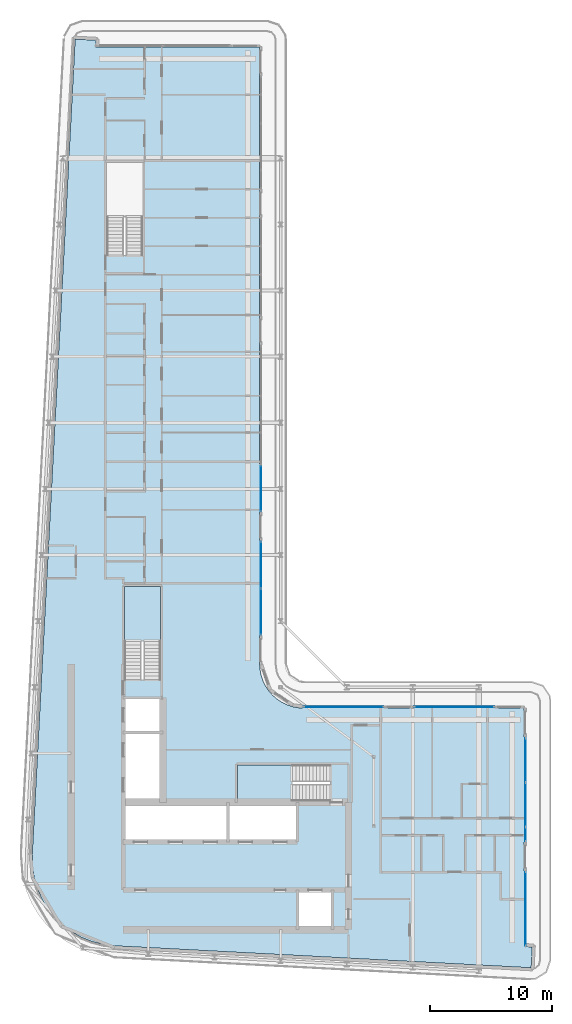
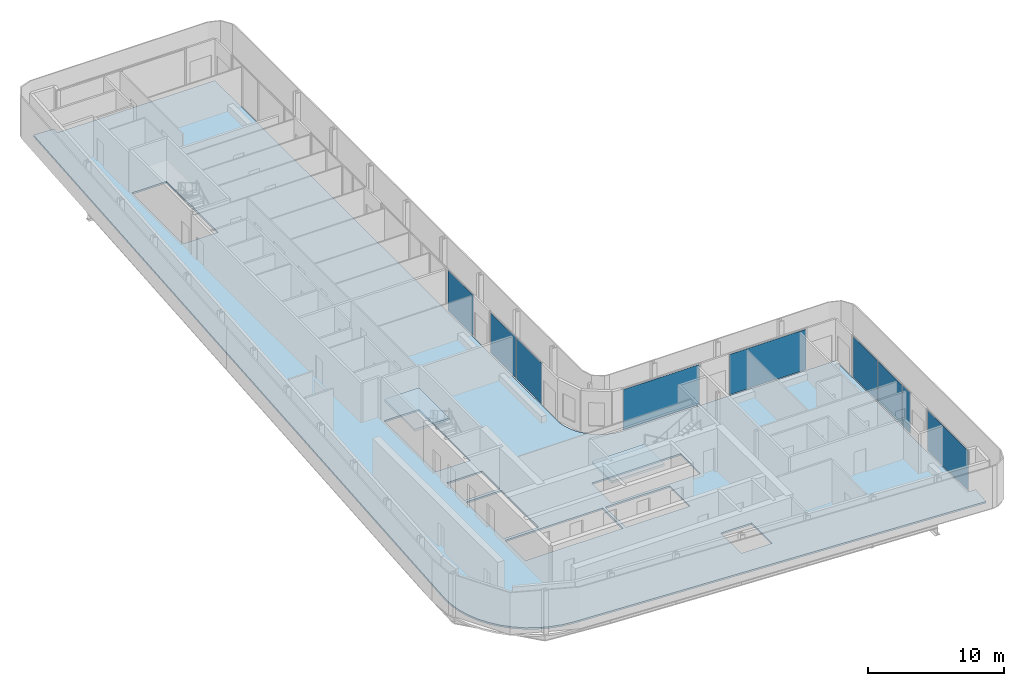
# One storey, part 9 of 21: 9 plates, 3 slabs, 9 elements without a shape of their own.
"""IFC4 building model written with IfcOpenShell, lengths in metres."""

from ifc_helpers import new_model, si_unit, direction, frame, origin, origin_2d, place, context, subcontext, project, spatial, polyline, rectangle, outline, extrude, material, layer, layer_set, type_object, element, aggregate, save


model = new_model("IFC4")

# Units and contexts
model_context = context("Model", 3, precision=1e-05, world=origin(), true_north=direction((0.0, 1.0)))
body_context = subcontext(model_context, "Body", "Model", "MODEL_VIEW")
ifc_project = project(units=[si_unit("LENGTHUNIT", "METRE"), si_unit("AREAUNIT", "SQUARE_METRE"), si_unit("VOLUMEUNIT", "CUBIC_METRE"), si_unit("PLANEANGLEUNIT", "RADIAN"), si_unit("MASSUNIT", "GRAM", prefix="KILO")], contexts=[model_context])

# Site, building, storey
site_placement = place(None, origin())
site = spatial("IfcSite", under=ifc_project, at=site_placement, CompositionType="ELEMENT")
building_placement = place(site_placement, origin())
building = spatial("IfcBuilding", under=site, at=building_placement, Name="Kheshtan School and Residences Tower", CompositionType="ELEMENT")
storey_placement = place(building_placement, frame((0.0, 0.0, 290.300048828125)))
storey = spatial("IfcBuildingStorey", under=building, at=storey_placement, Name="L68", CompositionType="ELEMENT", Elevation=290.300048828125)

# Curtain wall, plate
ifc_material_1 = material(Name="Clear low-e glass in thermally broken aluminium frame", Category="aluminium")
ifc_layer_1 = layer(ifc_material_1, 0.199951171875)
ifc_layer_set_1 = layer_set([ifc_layer_1], Name="Curtain wall CW-L")
curtain_wall_type = type_object("IfcCurtainWallType", Name="Curtain wall CW-L", PredefinedType="NOTDEFINED", material=ifc_layer_set_1)
curtain_wall_1_placement = place(storey_placement, origin())
curtain_wall_1 = element("IfcCurtainWall", 1, at=curtain_wall_1_placement, inside=storey, type_object=curtain_wall_type, Name="Curtain wall CWL8c", PredefinedType="NOTDEFINED")
ifc_layer_2 = layer(ifc_material_1, 0.031982421875)
ifc_layer_set_2 = layer_set([ifc_layer_2], Name="CW-L glass panel")
plate_type = type_object("IfcPlateType", Name="CW-L glass panel", PredefinedType="CURTAIN_PANEL", material=ifc_layer_set_2)
plate_1_placement = place(storey_placement, frame((46.0, 61.862548828125, 0.0), z_axis=(0.0, 0.0, 1.0), x_axis=(0.0, -1.0, 0.0)))
plate_1 = element("IfcPlate", 2, at=plate_1_placement, type_object=plate_type, Name="CWL8c panel 3.1", PredefinedType="CURTAIN_PANEL", context=body_context, shape_type="SweptSolid", body=[
    extrude(rectangle(XDim=3.757080078125, YDim=0.031982421875, at=origin_2d()), origin(), (0.0, 0.0, 1.0), 3.6298828125),
])
aggregate(curtain_wall_1, [plate_1])

# Curtain wall, plates
curtain_wall_2_placement = place(storey_placement, origin())
curtain_wall_2 = element("IfcCurtainWall", 3, at=curtain_wall_2_placement, inside=storey, type_object=curtain_wall_type, Name="Curtain wall CWL8", PredefinedType="NOTDEFINED")
plate_2_placement = place(storey_placement, frame((46.0, 55.58544921875, 0.0), z_axis=(0.0, 0.0, 1.0), x_axis=(0.0, -1.0, 0.0)))
plate_2 = element("IfcPlate", 4, at=plate_2_placement, type_object=plate_type, Name="CWL8 panel 1.1", PredefinedType="CURTAIN_PANEL", context=body_context, shape_type="SweptSolid", body=[
    extrude(rectangle(XDim=3.757080078125, YDim=0.031982421875, at=origin_2d()), origin(), (0.0, 0.0, 1.0), 3.6298828125),
])
plate_3_placement = place(storey_placement, frame((46.0, 51.7685546875, 0.0), z_axis=(0.0, 0.0, 1.0), x_axis=(0.0, -1.0, 0.0)))
plate_3 = element("IfcPlate", 5, at=plate_3_placement, type_object=plate_type, Name="CWL8 panel 2.1", PredefinedType="CURTAIN_PANEL", context=body_context, shape_type="SweptSolid", body=[
    extrude(rectangle(XDim=3.757080078125, YDim=0.031982421875, at=origin_2d()), origin(), (0.0, 0.0, 1.0), 3.6298828125),
])
aggregate(curtain_wall_2, [plate_2, plate_3])

# Curtain wall, plate
curtain_wall_3_placement = place(storey_placement, origin())
curtain_wall_3 = element("IfcCurtainWall", 6, at=curtain_wall_3_placement, inside=storey, type_object=curtain_wall_type, Name="Curtain wall CWL1233", PredefinedType="NOTDEFINED")
plate_4_placement = place(storey_placement, frame((52.74755859375, 44.0, 0.0), z_axis=(0.0, 0.0, 1.0), x_axis=(1.0, 0.0, 0.0)))
plate_4 = element("IfcPlate", 7, at=plate_4_placement, type_object=plate_type, Name="CWL1233 panel 1.1", PredefinedType="CURTAIN_PANEL", context=body_context, shape_type="SweptSolid", body=[
    extrude(rectangle(XDim=6.514892578125, YDim=0.031982421875, at=origin_2d()), origin(), (0.0, 0.0, 1.0), 3.6298828125),
])
aggregate(curtain_wall_3, [plate_4])

curtain_wall_4_placement = place(storey_placement, origin())
curtain_wall_4 = element("IfcCurtainWall", 8, at=curtain_wall_4_placement, inside=storey, type_object=curtain_wall_type, Name="Curtain wall CWL1233", PredefinedType="NOTDEFINED")
plate_5_placement = place(storey_placement, frame((61.782470703125, 44.0, 0.0), z_axis=(0.0, 0.0, 1.0), x_axis=(1.0, 0.0, 0.0)))
plate_5 = element("IfcPlate", 9, at=plate_5_placement, type_object=plate_type, Name="CWL1233 panel 1.1", PredefinedType="CURTAIN_PANEL", context=body_context, shape_type="SweptSolid", body=[
    extrude(rectangle(XDim=6.514892578125, YDim=0.031982421875, at=origin_2d()), origin(), (0.0, 0.0, 1.0), 3.6298828125),
])
aggregate(curtain_wall_4, [plate_5])

# Curtain wall, plates
curtain_wall_5_placement = place(storey_placement, origin())
curtain_wall_5 = element("IfcCurtainWall", 10, at=curtain_wall_5_placement, inside=storey, type_object=curtain_wall_type, Name="Curtain wall CWL13e", PredefinedType="NOTDEFINED")
plate_6_placement = place(storey_placement, frame((67.60009765625, 39.64990234375, 0.0), z_axis=(0.0, 0.0, 1.0), x_axis=(0.0, -1.0, 0.0)))
plate_6 = element("IfcPlate", 11, at=plate_6_placement, type_object=plate_type, Name="CWL13e panel 1.1", PredefinedType="CURTAIN_PANEL", context=body_context, shape_type="SweptSolid", body=[
    extrude(rectangle(XDim=3.580322265625, YDim=0.031982421875, at=origin_2d()), origin(), (0.0, 0.0, 1.0), 3.6298828125),
])
plate_7_placement = place(storey_placement, frame((67.60009765625, 36.009521484375, 0.0), z_axis=(0.0, 0.0, 1.0), x_axis=(0.0, -1.0, 0.0)))
plate_7 = element("IfcPlate", 12, at=plate_7_placement, type_object=plate_type, Name="CWL13e panel 2.1", PredefinedType="CURTAIN_PANEL", context=body_context, shape_type="SweptSolid", body=[
    extrude(rectangle(XDim=3.580322265625, YDim=0.031982421875, at=origin_2d()), origin(), (0.0, 0.0, 1.0), 3.6298828125),
])
aggregate(curtain_wall_5, [plate_6, plate_7])

# Curtain wall, plate
curtain_wall_6_placement = place(storey_placement, origin())
curtain_wall_6 = element("IfcCurtainWall", 13, at=curtain_wall_6_placement, inside=storey, type_object=curtain_wall_type, Name="Curtain wall CWL13f", PredefinedType="NOTDEFINED")
plate_8_placement = place(storey_placement, frame((67.60009765625, 33.589599609375, 0.0), z_axis=(0.0, 0.0, 1.0), x_axis=(0.0, -1.0, 0.0)))
plate_8 = element("IfcPlate", 14, at=plate_8_placement, type_object=plate_type, Name="CWL13f panel 1.1", PredefinedType="CURTAIN_PANEL", context=body_context, shape_type="SweptSolid", body=[
    extrude(rectangle(XDim=1.139892578125, YDim=0.031982421875, at=origin_2d()), origin(), (0.0, 0.0, 1.0), 3.6298828125),
])
aggregate(curtain_wall_6, [plate_8])

curtain_wall_7_placement = place(storey_placement, origin())
curtain_wall_7 = element("IfcCurtainWall", 15, at=curtain_wall_7_placement, inside=storey, type_object=curtain_wall_type, Name="Curtain wall CWL13g", PredefinedType="NOTDEFINED")
plate_9_placement = place(storey_placement, frame((67.60009765625, 27.4892578125, 0.0), z_axis=(0.0, 0.0, 1.0), x_axis=(0.0, -1.0, 0.0)))
plate_9 = element("IfcPlate", 16, at=plate_9_placement, type_object=plate_type, Name="CWL13g panel 1.1", PredefinedType="CURTAIN_PANEL", context=body_context, shape_type="SweptSolid", body=[
    extrude(rectangle(XDim=6.0205078125, YDim=0.031982421875, at=origin_2d()), origin(), (0.0, 0.0, 1.0), 3.6298828125),
])
aggregate(curtain_wall_7, [plate_9])

# Slab
ifc_material_2 = material(Name="Concrete C40/50", Category="concrete")
ifc_layer_3 = layer(ifc_material_2, 0.14990234375)
ifc_layer_set_3 = layer_set([ifc_layer_3], Name="Floor slab 150 Concrete C40/50")
slab_type_1 = type_object("IfcSlabType", Name="Floor slab 150 Concrete C40/50", PredefinedType="FLOOR", material=ifc_layer_set_3)
slab_1_placement = place(storey_placement, frame((0.0, 0.0, -0.150146484375)))
element("IfcSlab", 17, at=slab_1_placement, inside=storey, type_object=slab_type_1, Name="Floor slab L68", PredefinedType="FLOOR", context=body_context, shape_type="SweptSolid", body=[
    extrude(outline(polyline([(28.55908203125, 27.550048828125), (28.0849609375, 28.345947265625), (27.718017578125, 29.200927734375), (27.466064453125, 30.093017578125), (27.466064453125, 30.093994140625), (27.3330078125, 31.013916015625), (27.320068359375, 31.965087890625), (27.320068359375, 31.970947265625), (30.822021484375, 98.5009765625), (30.822998046875, 98.508056640625), (30.825927734375, 98.531005859375), (30.825927734375, 98.531982421875), (30.826904296875, 98.531982421875), (31.422119140625, 98.5), (31.423095703125, 98.5), (31.423095703125, 98.4990234375), (31.423095703125, 98.4951171875), (31.423095703125, 98.493896484375), (31.424072265625, 98.493896484375), (31.424072265625, 98.492919921875), (31.425048828125, 98.492919921875), (31.426025390625, 98.492919921875), (31.426025390625, 98.493896484375), (31.427978515625, 98.49609375), (31.428955078125, 98.4970703125), (31.429931640625, 98.498046875), (31.430908203125, 98.498046875), (31.430908203125, 98.4990234375), (31.431884765625, 98.4990234375), (31.431884765625, 98.5), (31.43505859375, 98.5009765625), (31.43603515625, 98.501953125), (31.43896484375, 98.501953125), (31.43994140625, 98.501953125), (31.43994140625, 98.5029296875), (31.44091796875, 98.5029296875), (31.446044921875, 98.5029296875), (32.5009765625, 98.447021484375), (32.50390625, 98.447021484375), (32.5048828125, 98.447021484375), (32.5048828125, 98.446044921875), (32.506103515625, 98.446044921875), (32.510009765625, 98.446044921875), (32.510009765625, 98.445068359375), (32.510986328125, 98.445068359375), (32.510986328125, 98.444091796875), (32.511962890625, 98.444091796875), (32.511962890625, 98.443115234375), (32.512939453125, 98.443115234375), (32.513916015625, 98.443115234375), (32.513916015625, 98.44189453125), (32.514892578125, 98.44189453125), (32.51611328125, 98.44189453125), (32.51904296875, 98.43896484375), (32.51904296875, 98.43798828125), (32.51904296875, 98.43701171875), (32.52001953125, 98.43701171875), (32.52001953125, 98.43603515625), (32.52099609375, 98.43603515625), (32.52099609375, 98.43408203125), (32.52099609375, 98.43310546875), (32.52197265625, 98.43310546875), (32.52197265625, 98.431884765625), (32.52294921875, 98.431884765625), (32.52294921875, 98.430908203125), (32.52294921875, 98.428955078125), (32.52294921875, 98.427978515625), (32.52392578125, 98.427978515625), (32.52392578125, 98.427001953125), (32.52392578125, 98.422119140625), (32.4970703125, 97.9208984375), (32.4970703125, 97.91796875), (32.4970703125, 97.9169921875), (32.49609375, 97.9169921875), (32.49609375, 97.916015625), (32.49609375, 97.912109375), (32.4951171875, 97.910888671875), (32.4951171875, 97.909912109375), (32.493896484375, 97.909912109375), (32.493896484375, 97.908935546875), (32.492919921875, 97.908935546875), (32.492919921875, 97.907958984375), (32.489013671875, 97.904052734375), (32.488037109375, 97.904052734375), (32.488037109375, 97.903076171875), (32.488037109375, 97.902099609375), (32.488037109375, 97.90087890625), (32.489013671875, 97.90087890625), (32.489013671875, 97.89990234375), (32.489990234375, 97.89990234375), (45.85498046875, 97.89990234375), (45.864990234375, 97.89794921875), (45.865966796875, 97.89794921875), (45.868896484375, 97.89599609375), (45.8740234375, 97.89404296875), (45.8779296875, 97.89208984375), (45.881103515625, 97.889892578125), (45.881103515625, 97.888916015625), (45.882080078125, 97.888916015625), (45.882080078125, 97.887939453125), (45.883056640625, 97.887939453125), (45.884033203125, 97.885009765625), (45.885009765625, 97.885009765625), (45.885009765625, 97.884033203125), (45.887939453125, 97.883056640625), (45.887939453125, 97.882080078125), (45.888916015625, 97.882080078125), (45.888916015625, 97.881103515625), (45.889892578125, 97.881103515625), (45.89208984375, 97.8779296875), (45.89404296875, 97.8740234375), (45.89599609375, 97.868896484375), (45.89794921875, 97.865966796875), (45.89794921875, 97.864990234375), (45.89990234375, 97.85498046875), (45.89990234375, 47.429931640625), (45.927001953125, 47.030029296875), (46.01806640625, 46.570068359375), (46.01806640625, 46.569091796875), (46.169921875, 46.1201171875), (46.37890625, 45.697021484375), (46.638916015625, 45.30810546875), (46.949951171875, 44.950927734375), (46.950927734375, 44.949951171875), (47.30810546875, 44.638916015625), (47.697021484375, 44.37890625), (48.1201171875, 44.169921875), (48.569091796875, 44.01806640625), (48.570068359375, 44.01806640625), (49.030029296875, 43.927001953125), (49.429931640625, 43.89990234375), (67.455078125, 43.89990234375), (67.4599609375, 43.89892578125), (67.465087890625, 43.89794921875), (67.466064453125, 43.89794921875), (67.468994140625, 43.89599609375), (67.47412109375, 43.89404296875), (67.47802734375, 43.89208984375), (67.48095703125, 43.889892578125), (67.48095703125, 43.888916015625), (67.48193359375, 43.888916015625), (67.48193359375, 43.887939453125), (67.48291015625, 43.887939453125), (67.48388671875, 43.885009765625), (67.485107421875, 43.885009765625), (67.485107421875, 43.884033203125), (67.488037109375, 43.883056640625), (67.488037109375, 43.882080078125), (67.489013671875, 43.882080078125), (67.489013671875, 43.881103515625), (67.489990234375, 43.881103515625), (67.491943359375, 43.8779296875), (67.493896484375, 43.8740234375), (67.49609375, 43.868896484375), (67.498046875, 43.865966796875), (67.498046875, 43.864990234375), (67.4990234375, 43.860107421875), (67.5, 43.85498046875), (67.5, 24.4140625), (67.5, 24.4130859375), (67.5009765625, 24.4130859375), (67.5009765625, 24.412109375), (67.501953125, 24.412109375), (67.5029296875, 24.412109375), (67.5029296875, 24.4130859375), (67.5048828125, 24.4150390625), (67.507080078125, 24.4169921875), (67.508056640625, 24.4169921875), (67.508056640625, 24.41796875), (67.509033203125, 24.41796875), (67.509033203125, 24.4189453125), (67.510009765625, 24.4189453125), (67.511962890625, 24.419921875), (67.512939453125, 24.4208984375), (67.51611328125, 24.4208984375), (67.51708984375, 24.4208984375), (67.51708984375, 24.422119140625), (67.51806640625, 24.422119140625), (67.52294921875, 24.422119140625), (68.137939453125, 24.388916015625), (68.14111328125, 24.388916015625), (68.14208984375, 24.388916015625), (68.14208984375, 24.387939453125), (68.14306640625, 24.387939453125), (68.14697265625, 24.387939453125), (68.14697265625, 24.386962890625), (68.14794921875, 24.386962890625), (68.14794921875, 24.385986328125), (68.14892578125, 24.385986328125), (68.14892578125, 24.385009765625), (68.14990234375, 24.385009765625), (68.15087890625, 24.385009765625), (68.15087890625, 24.384033203125), (68.152099609375, 24.384033203125), (68.153076171875, 24.384033203125), (68.153076171875, 24.383056640625), (68.155029296875, 24.381103515625), (68.156005859375, 24.381103515625), (68.156005859375, 24.3798828125), (68.156005859375, 24.37890625), (68.156982421875, 24.37890625), (68.156982421875, 24.3779296875), (68.157958984375, 24.3779296875), (68.157958984375, 24.3759765625), (68.157958984375, 24.375), (68.158935546875, 24.375), (68.158935546875, 24.3740234375), (68.159912109375, 24.3740234375), (68.159912109375, 24.373046875), (68.159912109375, 24.37109375), (68.159912109375, 24.3701171875), (68.160888671875, 24.3701171875), (68.160888671875, 24.368896484375), (68.160888671875, 24.364013671875), (68.10498046875, 23.306884765625), (68.10498046875, 23.303955078125), (68.10498046875, 23.302978515625), (68.10400390625, 23.302978515625), (68.10400390625, 23.302001953125), (68.10400390625, 23.298095703125), (68.10302734375, 23.297119140625), (68.10302734375, 23.2958984375), (68.10205078125, 23.2958984375), (68.10205078125, 23.294921875), (68.10107421875, 23.294921875), (68.10107421875, 23.2939453125), (68.10009765625, 23.29296875), (68.097900390625, 23.291015625), (68.096923828125, 23.2900390625), (68.095947265625, 23.2900390625), (68.095947265625, 23.2890625), (68.095947265625, 23.2880859375), (68.095947265625, 23.287109375), (68.096923828125, 23.287109375), (68.096923828125, 23.285888671875), (68.097900390625, 23.285888671875), (68.09912109375, 23.285888671875), (68.10009765625, 23.285888671875), (68.10009765625, 23.284912109375), (68.068115234375, 22.68994140625), (68.068115234375, 22.68896484375), (68.06689453125, 22.68896484375), (68.04296875, 22.68798828125), (68.0380859375, 22.68798828125), (34.056884765625, 24.47802734375), (33.114990234375, 24.590087890625), (32.215087890625, 24.819091796875), (32.214111328125, 24.819091796875), (31.35205078125, 25.1630859375), (30.541015625, 25.616943359375), (29.799072265625, 26.1708984375), (29.799072265625, 26.172119140625), (29.798095703125, 26.172119140625), (29.134033203125, 26.820068359375), (29.134033203125, 26.821044921875), (29.133056640625, 26.821044921875), (28.55908203125, 27.550048828125)]), holes=[polyline([(67.5009765625, 23.29296875), (67.5, 23.29296875), (67.5, 23.2919921875), (67.5, 23.2880859375), (67.5, 23.287109375), (67.5009765625, 23.287109375), (67.5009765625, 23.285888671875), (67.501953125, 23.285888671875), (67.506103515625, 23.285888671875), (67.507080078125, 23.285888671875), (67.507080078125, 23.287109375), (67.508056640625, 23.287109375), (67.508056640625, 23.2880859375), (67.508056640625, 23.2890625), (67.507080078125, 23.2890625), (67.506103515625, 23.2900390625), (67.5048828125, 23.291015625), (67.5029296875, 23.29296875), (67.5029296875, 23.2939453125), (67.501953125, 23.2939453125), (67.5009765625, 23.2939453125), (67.5009765625, 23.29296875)]), polyline([(31.424072265625, 97.906982421875), (31.423095703125, 97.906982421875), (31.423095703125, 97.906005859375), (31.423095703125, 97.902099609375), (31.423095703125, 97.90087890625), (31.424072265625, 97.90087890625), (31.424072265625, 97.89990234375), (31.425048828125, 97.89990234375), (31.428955078125, 97.89990234375), (31.429931640625, 97.89990234375), (31.429931640625, 97.90087890625), (31.430908203125, 97.90087890625), (31.430908203125, 97.902099609375), (31.430908203125, 97.903076171875), (31.429931640625, 97.903076171875), (31.428955078125, 97.904052734375), (31.427978515625, 97.905029296875), (31.427001953125, 97.906005859375), (31.426025390625, 97.906982421875), (31.426025390625, 97.907958984375), (31.425048828125, 97.907958984375), (31.424072265625, 97.907958984375), (31.424072265625, 97.906982421875)]), polyline([(51.72509765625, 28.925048828125), (49.125, 28.925048828125), (49.125, 25.925048828125), (51.72509765625, 25.925048828125), (51.72509765625, 28.925048828125)]), polyline([(43.175048828125, 33.074951171875), (43.175048828125, 36.074951171875), (34.875, 36.074951171875), (34.875, 33.074951171875), (43.175048828125, 33.074951171875)]), polyline([(43.425048828125, 36.074951171875), (43.425048828125, 33.074951171875), (48.875, 33.074951171875), (48.875, 36.074951171875), (43.425048828125, 36.074951171875)]), polyline([(51.64990234375, 37.699951171875), (51.64990234375, 39.25), (44.090087890625, 39.25), (44.090087890625, 36.300048828125), (51.639892578125, 36.300048828125), (51.639892578125, 37.699951171875), (51.64990234375, 37.699951171875)]), polyline([(37.875, 41.77490234375), (34.875, 41.77490234375), (34.875, 36.324951171875), (37.875, 36.324951171875), (37.875, 41.77490234375)]), polyline([(37.875, 44.625), (34.875, 44.625), (34.875, 42.02490234375), (37.875, 42.02490234375), (37.875, 44.625)]), polyline([(37.800048828125, 53.81005859375), (34.85009765625, 53.81005859375), (34.85009765625, 46.260009765625), (36.25, 46.260009765625), (36.25, 46.25), (37.800048828125, 46.25), (37.800048828125, 53.81005859375)]), polyline([(36.35009765625, 88.4599609375), (33.39990234375, 88.4599609375), (33.39990234375, 80.909912109375), (34.800048828125, 80.909912109375), (34.800048828125, 80.89990234375), (36.35009765625, 80.89990234375), (36.35009765625, 88.4599609375)])]), origin(), (0.0, 0.0, 1.0), 0.150146484375),
])

# Stair, slab
stair_type = type_object("IfcStairType", Name="Exit stair, half-turn", PredefinedType="HALF_TURN_STAIR", material=ifc_material_2)
stair_1_placement = place(storey_placement, origin())
stair_1 = element("IfcStair", 18, at=stair_1_placement, inside=storey, type_object=stair_type, Name="L68 Protected Exit Stair ST1", PredefinedType="HALF_TURN_STAIR")
ifc_layer_4 = layer(ifc_material_2, 0.199951171875)
ifc_layer_set_4 = layer_set([ifc_layer_4], Name="Stair landing 200 Concrete C40/50")
slab_type_2 = type_object("IfcSlabType", Name="Stair landing 200 Concrete C40/50", PredefinedType="LANDING", material=ifc_layer_set_4)
slab_2_placement = place(storey_placement, frame((0.0, 0.0, 1.75)))
slab_2 = element("IfcSlab", 19, at=slab_2_placement, type_object=slab_type_2, Name="ST1 landing 1", PredefinedType="LANDING", context=body_context, shape_type="SweptSolid", body=[
    extrude(outline(polyline([(48.570068359375, 39.25), (44.090087890625, 39.25), (44.090087890625, 36.300048828125), (48.570068359375, 36.300048828125), (48.570068359375, 39.25)])), origin(), (0.0, 0.0, 1.0), 0.199951171875),
])
aggregate(stair_1, [slab_2])

stair_2_placement = place(storey_placement, origin())
stair_2 = element("IfcStair", 20, at=stair_2_placement, inside=storey, type_object=stair_type, Name="L68 Protected Exit Stair ST2", PredefinedType="HALF_TURN_STAIR")
slab_3_placement = place(storey_placement, frame((0.0, 0.0, 1.75)))
slab_3 = element("IfcSlab", 21, at=slab_3_placement, type_object=slab_type_2, Name="ST2 landing 1", PredefinedType="LANDING", context=body_context, shape_type="SweptSolid", body=[
    extrude(outline(polyline([(37.800048828125, 49.330078125), (37.800048828125, 53.81005859375), (34.85009765625, 53.81005859375), (34.85009765625, 49.330078125), (37.800048828125, 49.330078125)])), origin(), (0.0, 0.0, 1.0), 0.199951171875),
])
aggregate(stair_2, [slab_3])

save(model, "model.ifc")
